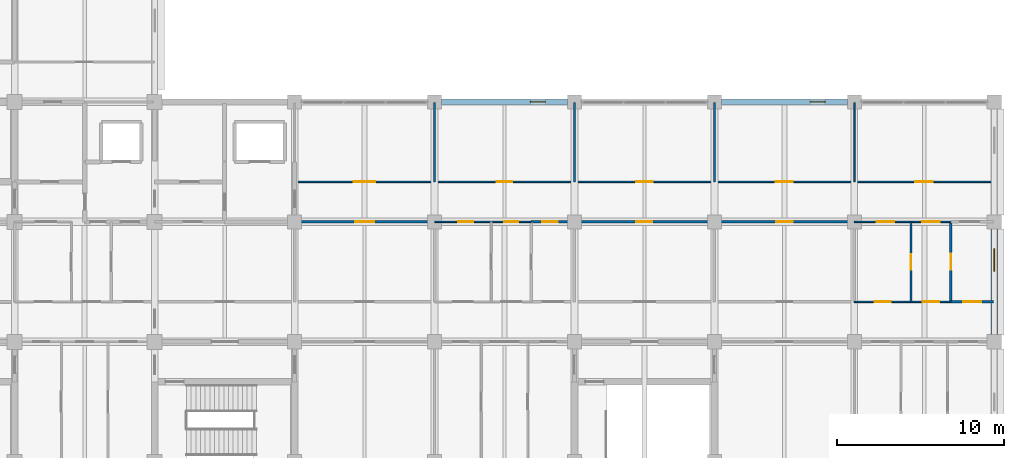
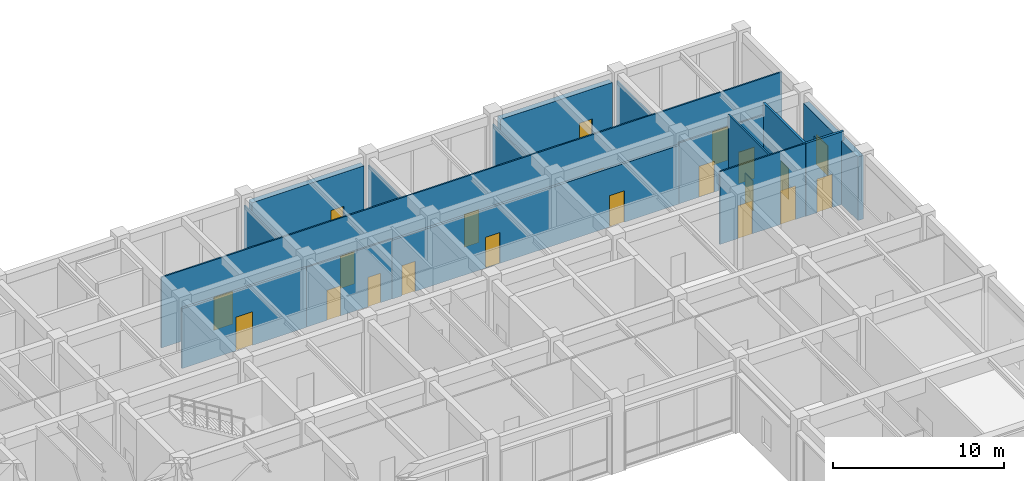
# One storey, part 49 of 58: 18 doors, 16 walls, 3 windows, 21 openings.
"""IFC4 building model written with IfcOpenShell, lengths in metres."""

from ifc_helpers import new_model, si_unit, direction, frame, frame_2d, origin, place, context, subcontext, project, spatial, rectangle, extrude, material, layer, layer_set, type_object, element, fill, save


model = new_model("IFC4")

# Units and contexts
model_context = context("Model", 3, precision=1e-05, world=origin(), true_north=direction((0.0, 1.0)))
body_context = subcontext(model_context, "Body", "Model", "MODEL_VIEW")
ifc_project = project(units=[si_unit("LENGTHUNIT", "METRE"), si_unit("AREAUNIT", "SQUARE_METRE"), si_unit("VOLUMEUNIT", "CUBIC_METRE"), si_unit("PLANEANGLEUNIT", "RADIAN"), si_unit("MASSUNIT", "GRAM", prefix="KILO")], contexts=[model_context])

# Site, building, storey
site_placement = place(None, origin())
site = spatial("IfcSite", under=ifc_project, at=site_placement, CompositionType="ELEMENT")
building_placement = place(site_placement, origin())
building = spatial("IfcBuilding", under=site, at=building_placement, Name="Chengyuan Square Courthouse", CompositionType="ELEMENT")
storey_placement = place(building_placement, frame((0.0, 0.0, 16.199951171875)))
storey = spatial("IfcBuildingStorey", under=building, at=storey_placement, Name="L04", CompositionType="ELEMENT", Elevation=16.199951171875)

# Wall, opening, window
ifc_material_1 = material(Name="Concrete C40", Category="concrete")
ifc_layer_1 = layer(ifc_material_1, 0.3798828125)
ifc_layer_set_1 = layer_set([ifc_layer_1], Name="Concrete C40")
wall_type_1 = type_object("IfcWallType", Name="WL-EW1", PredefinedType="STANDARD", material=ifc_layer_set_1)
wall_1_placement = place(storey_placement, frame((134.820068359375, 108.0, 0.0), z_axis=(0.0, 0.0, 1.0), x_axis=(1.0, 0.0, 0.0)))
wall_1 = element("IfcWall", 1, at=wall_1_placement, inside=storey, type_object=wall_type_1, Name="Exterior Wall WL-L04-E325", PredefinedType="STANDARD", context=body_context, shape_type="SweptSolid", body=[
    extrude(rectangle(XDim=7.559814453125, YDim=0.3798828125, at=frame_2d((3.77978515625, 0.0))), origin(), (0.0, 0.0, 1.0), 4.469970703125),
])
opening_1_placement = place(wall_1_placement, frame((5.330078125, 0.0, 0.85009765625)))
opening_1 = element("IfcOpeningElement", 2, at=opening_1_placement, cuts=wall_1, Name="Opening WN-099", PredefinedType="OPENING", context=body_context, shape_type="SweptSolid", body=[
    extrude(rectangle(XDim=0.89990234375, YDim=1.199951171875, at=frame_2d((0.449951171875, 0.60009765625))), frame((0.0, 0.201904296875, 0.0), z_axis=(0.0, -1.0, 0.0), x_axis=(1.0, 0.0, 0.0)), (0.0, 0.0, 1.0), 0.40380859375),
])
ifc_material_2 = material(Name="Thermally Broken Aluminium Triple Low-E Window", Category="aluminium")
window_type_1 = type_object("IfcWindowType", Name="WT-01", PartitioningType="SINGLE_PANEL", PredefinedType="WINDOW", material=ifc_material_2)
window_1_placement = place(opening_1_placement, origin())
window_1 = element("IfcWindow", 3, at=window_1_placement, inside=storey, type_object=window_type_1, Name="Facade Window WN-099", OverallHeight=1.199951171875, OverallWidth=0.89990234375, PartitioningType="SINGLE_PANEL", PredefinedType="WINDOW", context=body_context, shape_type="SweptSolid", body=[
    extrude(rectangle(XDim=0.89990234375, YDim=1.199951171875, at=frame_2d((0.449951171875, 0.60009765625))), frame((0.0, 0.030029296875, 0.0), z_axis=(0.0, -1.0, 0.0), x_axis=(1.0, 0.0, 0.0)), (0.0, 0.0, 1.0), 0.06005859375),
])
fill(opening_1, window_1)

wall_2_placement = place(storey_placement, frame((151.6201171875, 108.0, 0.0), z_axis=(0.0, 0.0, 1.0), x_axis=(1.0, 0.0, 0.0)))
wall_2 = element("IfcWall", 4, at=wall_2_placement, inside=storey, type_object=wall_type_1, Name="Exterior Wall WL-L04-E331", PredefinedType="STANDARD", context=body_context, shape_type="SweptSolid", body=[
    extrude(rectangle(XDim=7.559814453125, YDim=0.3798828125, at=frame_2d((3.77978515625, 0.0))), origin(), (0.0, 0.0, 1.0), 4.550048828125),
])
opening_2_placement = place(wall_2_placement, frame((5.330078125, 0.0, 0.85009765625)))
opening_2 = element("IfcOpeningElement", 5, at=opening_2_placement, cuts=wall_2, Name="Opening WN-103", PredefinedType="OPENING", context=body_context, shape_type="SweptSolid", body=[
    extrude(rectangle(XDim=0.89990234375, YDim=1.56005859375, at=frame_2d((0.449951171875, 0.780029296875))), frame((0.0, 0.201904296875, 0.0), z_axis=(0.0, -1.0, 0.0), x_axis=(1.0, 0.0, 0.0)), (0.0, 0.0, 1.0), 0.40380859375),
])
window_type_2 = type_object("IfcWindowType", Name="WT-03", PartitioningType="SINGLE_PANEL", PredefinedType="WINDOW", material=ifc_material_2)
window_2_placement = place(opening_2_placement, origin())
window_2 = element("IfcWindow", 6, at=window_2_placement, inside=storey, type_object=window_type_2, Name="Facade Window WN-103", OverallHeight=1.56005859375, OverallWidth=0.89990234375, PartitioningType="SINGLE_PANEL", PredefinedType="WINDOW", context=body_context, shape_type="SweptSolid", body=[
    extrude(rectangle(XDim=0.89990234375, YDim=1.56005859375, at=frame_2d((0.449951171875, 0.780029296875))), frame((0.0, 0.030029296875, 0.0), z_axis=(0.0, -1.0, 0.0), x_axis=(1.0, 0.0, 0.0)), (0.0, 0.0, 1.0), 0.06005859375),
])
fill(opening_2, window_2)

wall_3_placement = place(storey_placement, frame((168.0, 94.02001953125, 0.0), z_axis=(0.0, 0.0, 1.0), x_axis=(0.0, 1.0, 0.0)))
wall_3 = element("IfcWall", 7, at=wall_3_placement, inside=storey, type_object=wall_type_1, Name="Exterior Wall WL-L04-E337", PredefinedType="STANDARD", context=body_context, shape_type="SweptSolid", body=[
    extrude(rectangle(XDim=6.35986328125, YDim=0.3798828125, at=frame_2d((3.179931640625, 0.0))), origin(), (0.0, 0.0, 1.0), 4.550048828125),
])
opening_3_placement = place(wall_3_placement, frame((3.804931640625, 0.0, 0.85009765625)))
opening_3 = element("IfcOpeningElement", 8, at=opening_3_placement, cuts=wall_3, Name="Opening WN-109", PredefinedType="OPENING", context=body_context, shape_type="SweptSolid", body=[
    extrude(rectangle(XDim=1.35009765625, YDim=2.1201171875, at=frame_2d((0.675048828125, 1.06005859375))), frame((0.0, 0.201904296875, 0.0), z_axis=(0.0, -1.0, 0.0), x_axis=(1.0, 0.0, 0.0)), (0.0, 0.0, 1.0), 0.40380859375),
])
window_type_3 = type_object("IfcWindowType", Name="WT-24", PartitioningType="SINGLE_PANEL", PredefinedType="WINDOW", material=ifc_material_2)
window_3_placement = place(opening_3_placement, origin())
window_3 = element("IfcWindow", 9, at=window_3_placement, inside=storey, type_object=window_type_3, Name="Facade Window WN-109", OverallHeight=2.1201171875, OverallWidth=1.35009765625, PartitioningType="SINGLE_PANEL", PredefinedType="WINDOW", context=body_context, shape_type="SweptSolid", body=[
    extrude(rectangle(XDim=1.35009765625, YDim=2.1201171875, at=frame_2d((0.675048828125, 1.06005859375))), frame((0.0, 0.030029296875, 0.0), z_axis=(0.0, -1.0, 0.0), x_axis=(1.0, 0.0, 0.0)), (0.0, 0.0, 1.0), 0.06005859375),
])
fill(opening_3, window_3)

# Wall, opening, door
ifc_material_3 = material(Name="Deliberation Room Sound-Insulated Partition")
ifc_layer_2 = layer(ifc_material_3, 0.14990234375)
ifc_layer_set_2 = layer_set([ifc_layer_2], Name="Deliberation Room Sound-Insulated Partition")
wall_type_2 = type_object("IfcWallType", Name="WL-PT3", PredefinedType="STANDARD", material=ifc_layer_set_2)
wall_4_placement = place(storey_placement, frame((165.39990234375, 96.0, 0.0), z_axis=(0.0, 0.0, 1.0), x_axis=(1.0, 0.0, 0.0)))
wall_4 = element("IfcWall", 10, at=wall_4_placement, inside=storey, type_object=wall_type_2, Name="Interior Wall WL-L04-I1835", PredefinedType="STANDARD", context=body_context, shape_type="SweptSolid", body=[
    extrude(rectangle(XDim=2.56005859375, YDim=0.14990234375, at=frame_2d((1.280029296875, 0.0))), origin(), (0.0, 0.0, 1.0), 5.199951171875),
])
opening_4_placement = place(wall_4_placement, frame((0.75, 0.0, 0.0)))
opening_4 = element("IfcOpeningElement", 11, at=opening_4_placement, cuts=wall_4, Name="Opening DR-1796", PredefinedType="OPENING", context=body_context, shape_type="SweptSolid", body=[
    extrude(rectangle(XDim=1.06005859375, YDim=2.39990234375, at=frame_2d((0.530029296875, 1.199951171875))), frame((0.0, 0.0869140625, 0.0), z_axis=(0.0, -1.0, 0.0), x_axis=(1.0, 0.0, 0.0)), (0.0, 0.0, 1.0), 0.173828125),
])
ifc_material_4 = material(Name="Acoustic Solid-Core Timber Door", Category="wood")
door_type_1 = type_object("IfcDoorType", Name="DT-42", OperationType="NOTDEFINED", PredefinedType="DOOR", material=ifc_material_4)
door_1_placement = place(opening_4_placement, origin())
door_1 = element("IfcDoor", 12, at=door_1_placement, inside=storey, type_object=door_type_1, Name="Interior Door DR-1796", OperationType="SINGLE_SWING_RIGHT", OverallHeight=2.39990234375, OverallWidth=1.06005859375, PredefinedType="DOOR", context=body_context, shape_type="SweptSolid", body=[
    extrude(rectangle(XDim=1.06005859375, YDim=2.39990234375, at=frame_2d((0.530029296875, 1.199951171875))), frame((0.0, 0.02490234375, 0.0), z_axis=(0.0, -1.0, 0.0), x_axis=(1.0, 0.0, 0.0)), (0.0, 0.0, 1.0), 0.050048828125),
])
fill(opening_4, door_1)

wall_5_placement = place(storey_placement, frame((126.0, 100.800048828125, 0.0), z_axis=(0.0, 0.0, 1.0), x_axis=(1.0, 0.0, 0.0)))
wall_5 = element("IfcWall", 13, at=wall_5_placement, inside=storey, type_object=wall_type_2, Name="Interior Wall WL-L04-I1854", PredefinedType="STANDARD", context=body_context, shape_type="SweptSolid", body=[
    extrude(rectangle(XDim=8.39990234375, YDim=0.14990234375, at=frame_2d((4.199951171875, 0.0))), origin(), (0.0, 0.0, 1.0), 4.27001953125),
])
opening_5_placement = place(wall_5_placement, frame((3.6298828125, 0.0, 0.0)))
opening_5 = element("IfcOpeningElement", 14, at=opening_5_placement, cuts=wall_5, Name="Opening DR-1729", PredefinedType="OPENING", context=body_context, shape_type="SweptSolid", body=[
    extrude(rectangle(XDim=1.139892578125, YDim=2.39990234375, at=frame_2d((0.56982421875, 1.199951171875))), frame((0.0, 0.0869140625, 0.0), z_axis=(0.0, -1.0, 0.0), x_axis=(1.0, 0.0, 0.0)), (0.0, 0.0, 1.0), 0.173828125),
])
door_type_2 = type_object("IfcDoorType", Name="DT-43", OperationType="NOTDEFINED", PredefinedType="DOOR", material=ifc_material_4)
door_2_placement = place(opening_5_placement, origin())
door_2 = element("IfcDoor", 15, at=door_2_placement, inside=storey, type_object=door_type_2, Name="Interior Door DR-1729", OperationType="SINGLE_SWING_RIGHT", OverallHeight=2.39990234375, OverallWidth=1.139892578125, PredefinedType="DOOR", context=body_context, shape_type="SweptSolid", body=[
    extrude(rectangle(XDim=1.139892578125, YDim=2.39990234375, at=frame_2d((0.56982421875, 1.199951171875))), frame((0.0, 0.02490234375, 0.0), z_axis=(0.0, -1.0, 0.0), x_axis=(1.0, 0.0, 0.0)), (0.0, 0.0, 1.0), 0.050048828125),
])
fill(opening_5, door_2)

# Wall, openings, doors
wall_6_placement = place(storey_placement, frame((140.199951171875, 100.800048828125, 0.0), z_axis=(0.0, 0.0, 1.0), x_axis=(1.0, 0.0, 0.0)))
wall_6 = element("IfcWall", 16, at=wall_6_placement, inside=storey, type_object=wall_type_2, Name="Interior Wall WL-L04-I1856", PredefinedType="STANDARD", context=body_context, shape_type="SweptSolid", body=[
    extrude(rectangle(XDim=19.400146484375, YDim=0.14990234375, at=frame_2d((9.7001953125, 0.0))), origin(), (0.0, 0.0, 1.0), 4.199951171875),
])
opening_6_placement = place(wall_6_placement, frame((0.66748046875, 0.0, 0.0)))
opening_6 = element("IfcOpeningElement", 17, at=opening_6_placement, cuts=wall_6, Name="Opening DR-1732", PredefinedType="OPENING", context=body_context, shape_type="SweptSolid", body=[
    extrude(rectangle(XDim=0.919921875, YDim=2.14990234375, at=frame_2d((0.4599609375, 1.074951171875))), frame((0.0, 0.0869140625, 0.0), z_axis=(0.0, -1.0, 0.0), x_axis=(1.0, 0.0, 0.0)), (0.0, 0.0, 1.0), 0.173828125),
])
opening_7_placement = place(wall_6_placement, frame((6.320068359375, 0.0, 0.0)))
opening_7 = element("IfcOpeningElement", 18, at=opening_7_placement, cuts=wall_6, Name="Opening DR-1733", PredefinedType="OPENING", context=body_context, shape_type="SweptSolid", body=[
    extrude(rectangle(XDim=0.9599609375, YDim=2.199951171875, at=frame_2d((0.47998046875, 1.10009765625))), frame((0.0, 0.0869140625, 0.0), z_axis=(0.0, -1.0, 0.0), x_axis=(1.0, 0.0, 0.0)), (0.0, 0.0, 1.0), 0.173828125),
])
opening_8_placement = place(wall_6_placement, frame((14.699951171875, 0.0, 0.0)))
opening_8 = element("IfcOpeningElement", 19, at=opening_8_placement, cuts=wall_6, Name="Opening DR-1734", PredefinedType="OPENING", context=body_context, shape_type="SweptSolid", body=[
    extrude(rectangle(XDim=1.0, YDim=2.25, at=frame_2d((0.5, 1.125))), frame((0.0, 0.0869140625, 0.0), z_axis=(0.0, -1.0, 0.0), x_axis=(1.0, 0.0, 0.0)), (0.0, 0.0, 1.0), 0.173828125),
])
door_type_3 = type_object("IfcDoorType", Name="DT-29", OperationType="NOTDEFINED", PredefinedType="DOOR", material=ifc_material_4)
door_3_placement = place(opening_6_placement, origin())
door_3 = element("IfcDoor", 20, at=door_3_placement, inside=storey, type_object=door_type_3, Name="Interior Door DR-1732", OperationType="SINGLE_SWING_LEFT", OverallHeight=2.14990234375, OverallWidth=0.919921875, PredefinedType="DOOR", context=body_context, shape_type="SweptSolid", body=[
    extrude(rectangle(XDim=0.919921875, YDim=2.14990234375, at=frame_2d((0.4599609375, 1.074951171875))), frame((0.0, 0.02490234375, 0.0), z_axis=(0.0, -1.0, 0.0), x_axis=(1.0, 0.0, 0.0)), (0.0, 0.0, 1.0), 0.050048828125),
])
fill(opening_6, door_3)
door_type_4 = type_object("IfcDoorType", Name="DT-30", OperationType="NOTDEFINED", PredefinedType="DOOR", material=ifc_material_4)
door_4_placement = place(opening_7_placement, origin())
door_4 = element("IfcDoor", 21, at=door_4_placement, inside=storey, type_object=door_type_4, Name="Interior Door DR-1733", OperationType="SINGLE_SWING_RIGHT", OverallHeight=2.199951171875, OverallWidth=0.9599609375, PredefinedType="DOOR", context=body_context, shape_type="SweptSolid", body=[
    extrude(rectangle(XDim=0.9599609375, YDim=2.199951171875, at=frame_2d((0.47998046875, 1.10009765625))), frame((0.0, 0.02490234375, 0.0), z_axis=(0.0, -1.0, 0.0), x_axis=(1.0, 0.0, 0.0)), (0.0, 0.0, 1.0), 0.050048828125),
])
fill(opening_7, door_4)
door_type_5 = type_object("IfcDoorType", Name="DT-31", OperationType="NOTDEFINED", PredefinedType="DOOR", material=ifc_material_4)
door_5_placement = place(opening_8_placement, origin())
door_5 = element("IfcDoor", 22, at=door_5_placement, inside=storey, type_object=door_type_5, Name="Interior Door DR-1734", OperationType="SINGLE_SWING_LEFT", OverallHeight=2.25, OverallWidth=1.0, PredefinedType="DOOR", context=body_context, shape_type="SweptSolid", body=[
    extrude(rectangle(XDim=1.0, YDim=2.25, at=frame_2d((0.5, 1.125))), frame((0.0, 0.02490234375, 0.0), z_axis=(0.0, -1.0, 0.0), x_axis=(1.0, 0.0, 0.0)), (0.0, 0.0, 1.0), 0.050048828125),
])
fill(opening_8, door_5)

# Wall, opening, door
wall_7_placement = place(storey_placement, frame((165.39990234375, 96.0, 0.0), z_axis=(0.0, 0.0, 1.0), x_axis=(0.0, 1.0, 0.0)))
wall_7 = element("IfcWall", 23, at=wall_7_placement, inside=storey, type_object=wall_type_2, Name="Interior Wall WL-L04-I2100", PredefinedType="STANDARD", context=body_context, shape_type="SweptSolid", body=[
    extrude(rectangle(XDim=4.800048828125, YDim=0.14990234375, at=frame_2d((2.39990234375, 0.0))), origin(), (0.0, 0.0, 1.0), 5.199951171875),
])
opening_9_placement = place(wall_7_placement, frame((1.919921875, 0.0, 0.0)))
opening_9 = element("IfcOpeningElement", 24, at=opening_9_placement, cuts=wall_7, Name="Opening DR-1818", PredefinedType="OPENING", context=body_context, shape_type="SweptSolid", body=[
    extrude(rectangle(XDim=0.9599609375, YDim=2.199951171875, at=frame_2d((0.47998046875, 1.10009765625))), frame((0.0, 0.0869140625, 0.0), z_axis=(0.0, -1.0, 0.0), x_axis=(1.0, 0.0, 0.0)), (0.0, 0.0, 1.0), 0.173828125),
])
door_6_placement = place(opening_9_placement, origin())
door_6 = element("IfcDoor", 25, at=door_6_placement, inside=storey, type_object=door_type_4, Name="Interior Door DR-1818", OperationType="SINGLE_SWING_LEFT", OverallHeight=2.199951171875, OverallWidth=0.9599609375, PredefinedType="DOOR", context=body_context, shape_type="SweptSolid", body=[
    extrude(rectangle(XDim=0.9599609375, YDim=2.199951171875, at=frame_2d((0.47998046875, 1.10009765625))), frame((0.0, 0.02490234375, 0.0), z_axis=(0.0, -1.0, 0.0), x_axis=(1.0, 0.0, 0.0)), (0.0, 0.0, 1.0), 0.050048828125),
])
fill(opening_9, door_6)

# Wall, openings, doors
ifc_material_5 = material(Name="Gypsum Plasterboard Acoustic Stud Partition")
ifc_layer_3 = layer(ifc_material_5, 0.10009765625)
ifc_layer_set_3 = layer_set([ifc_layer_3], Name="Gypsum Plasterboard Acoustic Stud Partition")
wall_type_3 = type_object("IfcWallType", Name="WL-PT6", PredefinedType="STANDARD", material=ifc_layer_set_3)
wall_8_placement = place(storey_placement, frame((159.60009765625, 96.0, 0.0), z_axis=(0.0, 0.0, 1.0), x_axis=(1.0, 0.0, 0.0)))
wall_8 = element("IfcWall", 26, at=wall_8_placement, inside=storey, type_object=wall_type_3, Name="Interior Wall WL-L04-I1834", PredefinedType="STANDARD", context=body_context, shape_type="SweptSolid", body=[
    extrude(rectangle(XDim=5.7998046875, YDim=0.10009765625, at=frame_2d((2.89990234375, 0.0))), origin(), (0.0, 0.0, 1.0), 5.199951171875),
])
opening_10_placement = place(wall_8_placement, frame((1.2099609375, 0.0, 0.0)))
opening_10 = element("IfcOpeningElement", 27, at=opening_10_placement, cuts=wall_8, Name="Opening DR-1794", PredefinedType="OPENING", context=body_context, shape_type="SweptSolid", body=[
    extrude(rectangle(XDim=0.97998046875, YDim=2.35009765625, at=frame_2d((0.489990234375, 1.175048828125))), frame((0.0, 0.06201171875, 0.0), z_axis=(0.0, -1.0, 0.0), x_axis=(1.0, 0.0, 0.0)), (0.0, 0.0, 1.0), 0.1240234375),
])
opening_11_placement = place(wall_8_placement, frame((4.090087890625, 0.0, 0.0)))
opening_11 = element("IfcOpeningElement", 28, at=opening_11_placement, cuts=wall_8, Name="Opening DR-1795", PredefinedType="OPENING", context=body_context, shape_type="SweptSolid", body=[
    extrude(rectangle(XDim=1.02001953125, YDim=2.39990234375, at=frame_2d((0.510009765625, 1.199951171875))), frame((0.0, 0.06201171875, 0.0), z_axis=(0.0, -1.0, 0.0), x_axis=(1.0, 0.0, 0.0)), (0.0, 0.0, 1.0), 0.1240234375),
])
door_type_6 = type_object("IfcDoorType", Name="DT-40", OperationType="NOTDEFINED", PredefinedType="DOOR", material=ifc_material_4)
door_7_placement = place(opening_10_placement, origin())
door_7 = element("IfcDoor", 29, at=door_7_placement, inside=storey, type_object=door_type_6, Name="Interior Door DR-1794", OperationType="SINGLE_SWING_RIGHT", OverallHeight=2.35009765625, OverallWidth=0.97998046875, PredefinedType="DOOR", context=body_context, shape_type="SweptSolid", body=[
    extrude(rectangle(XDim=0.97998046875, YDim=2.35009765625, at=frame_2d((0.489990234375, 1.175048828125))), frame((0.0, 0.02490234375, 0.0), z_axis=(0.0, -1.0, 0.0), x_axis=(1.0, 0.0, 0.0)), (0.0, 0.0, 1.0), 0.050048828125),
])
fill(opening_10, door_7)
door_type_7 = type_object("IfcDoorType", Name="DT-41", OperationType="NOTDEFINED", PredefinedType="DOOR", material=ifc_material_4)
door_8_placement = place(opening_11_placement, origin())
door_8 = element("IfcDoor", 30, at=door_8_placement, inside=storey, type_object=door_type_7, Name="Interior Door DR-1795", OperationType="SINGLE_SWING_LEFT", OverallHeight=2.39990234375, OverallWidth=1.02001953125, PredefinedType="DOOR", context=body_context, shape_type="SweptSolid", body=[
    extrude(rectangle(XDim=1.02001953125, YDim=2.39990234375, at=frame_2d((0.510009765625, 1.199951171875))), frame((0.0, 0.02490234375, 0.0), z_axis=(0.0, -1.0, 0.0), x_axis=(1.0, 0.0, 0.0)), (0.0, 0.0, 1.0), 0.050048828125),
])
fill(opening_11, door_8)

wall_9_placement = place(storey_placement, frame((134.39990234375, 100.800048828125, 0.0), z_axis=(0.0, 0.0, 1.0), x_axis=(1.0, 0.0, 0.0)))
wall_9 = element("IfcWall", 31, at=wall_9_placement, inside=storey, type_object=wall_type_3, Name="Interior Wall WL-L04-I1855", PredefinedType="STANDARD", context=body_context, shape_type="SweptSolid", body=[
    extrude(rectangle(XDim=5.800048828125, YDim=0.10009765625, at=frame_2d((2.89990234375, 0.0))), origin(), (0.0, 0.0, 1.0), 4.27001953125),
])
opening_12_placement = place(wall_9_placement, frame((1.422607421875, 0.0, 0.0)))
opening_12 = element("IfcOpeningElement", 32, at=opening_12_placement, cuts=wall_9, Name="Opening DR-1730", PredefinedType="OPENING", context=body_context, shape_type="SweptSolid", body=[
    extrude(rectangle(XDim=0.89990234375, YDim=2.14990234375, at=frame_2d((0.449951171875, 1.074951171875))), frame((0.0, 0.06201171875, 0.0), z_axis=(0.0, -1.0, 0.0), x_axis=(1.0, 0.0, 0.0)), (0.0, 0.0, 1.0), 0.1240234375),
])
opening_13_placement = place(wall_9_placement, frame((4.169921875, 0.0, 0.0)))
opening_13 = element("IfcOpeningElement", 33, at=opening_13_placement, cuts=wall_9, Name="Opening DR-1731", PredefinedType="OPENING", context=body_context, shape_type="SweptSolid", body=[
    extrude(rectangle(XDim=0.860107421875, YDim=2.10009765625, at=frame_2d((0.43017578125, 1.050048828125))), frame((0.0, 0.06201171875, 0.0), z_axis=(0.0, -1.0, 0.0), x_axis=(1.0, 0.0, 0.0)), (0.0, 0.0, 1.0), 0.1240234375),
])
door_type_8 = type_object("IfcDoorType", Name="DT-27", OperationType="NOTDEFINED", PredefinedType="DOOR", material=ifc_material_4)
door_9_placement = place(opening_12_placement, origin())
door_9 = element("IfcDoor", 34, at=door_9_placement, inside=storey, type_object=door_type_8, Name="Interior Door DR-1730", OperationType="SINGLE_SWING_LEFT", OverallHeight=2.14990234375, OverallWidth=0.89990234375, PredefinedType="DOOR", context=body_context, shape_type="SweptSolid", body=[
    extrude(rectangle(XDim=0.89990234375, YDim=2.14990234375, at=frame_2d((0.449951171875, 1.074951171875))), frame((0.0, 0.02490234375, 0.0), z_axis=(0.0, -1.0, 0.0), x_axis=(1.0, 0.0, 0.0)), (0.0, 0.0, 1.0), 0.050048828125),
])
fill(opening_12, door_9)
door_type_9 = type_object("IfcDoorType", Name="DT-28", OperationType="NOTDEFINED", PredefinedType="DOOR", material=ifc_material_4)
door_10_placement = place(opening_13_placement, origin())
door_10 = element("IfcDoor", 35, at=door_10_placement, inside=storey, type_object=door_type_9, Name="Interior Door DR-1731", OperationType="SINGLE_SWING_RIGHT", OverallHeight=2.10009765625, OverallWidth=0.860107421875, PredefinedType="DOOR", context=body_context, shape_type="SweptSolid", body=[
    extrude(rectangle(XDim=0.860107421875, YDim=2.10009765625, at=frame_2d((0.43017578125, 1.050048828125))), frame((0.0, 0.02490234375, 0.0), z_axis=(0.0, -1.0, 0.0), x_axis=(1.0, 0.0, 0.0)), (0.0, 0.0, 1.0), 0.050048828125),
])
fill(opening_13, door_10)

wall_10_placement = place(storey_placement, frame((159.60009765625, 100.800048828125, 0.0), z_axis=(0.0, 0.0, 1.0), x_axis=(1.0, 0.0, 0.0)))
wall_10 = element("IfcWall", 36, at=wall_10_placement, inside=storey, type_object=wall_type_3, Name="Interior Wall WL-L04-I1857", PredefinedType="STANDARD", context=body_context, shape_type="SweptSolid", body=[
    extrude(rectangle(XDim=5.7998046875, YDim=0.10009765625, at=frame_2d((2.89990234375, 0.0))), origin(), (0.0, 0.0, 1.0), 4.35009765625),
])
opening_14_placement = place(wall_10_placement, frame((1.3525390625, 0.0, 0.0)))
opening_14 = element("IfcOpeningElement", 37, at=opening_14_placement, cuts=wall_10, Name="Opening DR-1735", PredefinedType="OPENING", context=body_context, shape_type="SweptSolid", body=[
    extrude(rectangle(XDim=1.0400390625, YDim=2.199951171875, at=frame_2d((0.52001953125, 1.10009765625))), frame((0.0, 0.06201171875, 0.0), z_axis=(0.0, -1.0, 0.0), x_axis=(1.0, 0.0, 0.0)), (0.0, 0.0, 1.0), 0.1240234375),
])
opening_15_placement = place(wall_10_placement, frame((4.06005859375, 0.0, 0.0)))
opening_15 = element("IfcOpeningElement", 38, at=opening_15_placement, cuts=wall_10, Name="Opening DR-1736", PredefinedType="OPENING", context=body_context, shape_type="SweptSolid", body=[
    extrude(rectangle(XDim=1.080078125, YDim=2.25, at=frame_2d((0.5400390625, 1.125))), frame((0.0, 0.06201171875, 0.0), z_axis=(0.0, -1.0, 0.0), x_axis=(1.0, 0.0, 0.0)), (0.0, 0.0, 1.0), 0.1240234375),
])
door_type_10 = type_object("IfcDoorType", Name="DT-32", OperationType="NOTDEFINED", PredefinedType="DOOR", material=ifc_material_4)
door_11_placement = place(opening_14_placement, origin())
door_11 = element("IfcDoor", 39, at=door_11_placement, inside=storey, type_object=door_type_10, Name="Interior Door DR-1735", OperationType="SINGLE_SWING_RIGHT", OverallHeight=2.199951171875, OverallWidth=1.0400390625, PredefinedType="DOOR", context=body_context, shape_type="SweptSolid", body=[
    extrude(rectangle(XDim=1.0400390625, YDim=2.199951171875, at=frame_2d((0.52001953125, 1.10009765625))), frame((0.0, 0.02490234375, 0.0), z_axis=(0.0, -1.0, 0.0), x_axis=(1.0, 0.0, 0.0)), (0.0, 0.0, 1.0), 0.050048828125),
])
fill(opening_14, door_11)
door_type_11 = type_object("IfcDoorType", Name="DT-33", OperationType="NOTDEFINED", PredefinedType="DOOR", material=ifc_material_4)
door_12_placement = place(opening_15_placement, origin())
door_12 = element("IfcDoor", 40, at=door_12_placement, inside=storey, type_object=door_type_11, Name="Interior Door DR-1736", OperationType="SINGLE_SWING_LEFT", OverallHeight=2.25, OverallWidth=1.080078125, PredefinedType="DOOR", context=body_context, shape_type="SweptSolid", body=[
    extrude(rectangle(XDim=1.080078125, YDim=2.25, at=frame_2d((0.5400390625, 1.125))), frame((0.0, 0.02490234375, 0.0), z_axis=(0.0, -1.0, 0.0), x_axis=(1.0, 0.0, 0.0)), (0.0, 0.0, 1.0), 0.050048828125),
])
fill(opening_15, door_12)

wall_11_placement = place(storey_placement, frame((126.0, 103.199951171875, 0.0), z_axis=(0.0, 0.0, 1.0), x_axis=(1.0, 0.0, 0.0)))
wall_11 = element("IfcWall", 41, at=wall_11_placement, inside=storey, type_object=wall_type_3, Name="Interior Wall WL-L04-I1868", PredefinedType="STANDARD", context=body_context, shape_type="SweptSolid", body=[
    extrude(rectangle(XDim=41.9599609375, YDim=0.10009765625, at=frame_2d((20.97998046875, 0.0))), origin(), (0.0, 0.0, 1.0), 5.050048828125),
])
opening_16_placement = place(wall_11_placement, frame((3.56005859375, 0.0, 0.0)))
opening_16 = element("IfcOpeningElement", 42, at=opening_16_placement, cuts=wall_11, Name="Opening DR-1724", PredefinedType="OPENING", context=body_context, shape_type="SweptSolid", body=[
    extrude(rectangle(XDim=1.280029296875, YDim=2.35009765625, at=frame_2d((0.64013671875, 1.175048828125))), frame((0.0, 0.06201171875, 0.0), z_axis=(0.0, -1.0, 0.0), x_axis=(1.0, 0.0, 0.0)), (0.0, 0.0, 1.0), 0.1240234375),
])
opening_17_placement = place(wall_11_placement, frame((12.1298828125, 0.0, 0.0)))
opening_17 = element("IfcOpeningElement", 43, at=opening_17_placement, cuts=wall_11, Name="Opening DR-1725", PredefinedType="OPENING", context=body_context, shape_type="SweptSolid", body=[
    extrude(rectangle(XDim=0.93994140625, YDim=2.300048828125, at=frame_2d((0.469970703125, 1.14990234375))), frame((0.0, 0.06201171875, 0.0), z_axis=(0.0, -1.0, 0.0), x_axis=(1.0, 0.0, 0.0)), (0.0, 0.0, 1.0), 0.1240234375),
])
opening_18_placement = place(wall_11_placement, frame((20.510009765625, 0.0, 0.0)))
opening_18 = element("IfcOpeningElement", 44, at=opening_18_placement, cuts=wall_11, Name="Opening DR-1726", PredefinedType="OPENING", context=body_context, shape_type="SweptSolid", body=[
    extrude(rectangle(XDim=0.97998046875, YDim=2.35009765625, at=frame_2d((0.489990234375, 1.175048828125))), frame((0.0, 0.06201171875, 0.0), z_axis=(0.0, -1.0, 0.0), x_axis=(1.0, 0.0, 0.0)), (0.0, 0.0, 1.0), 0.1240234375),
])
opening_19_placement = place(wall_11_placement, frame((28.889892578125, 0.0, 0.0)))
opening_19 = element("IfcOpeningElement", 45, at=opening_19_placement, cuts=wall_11, Name="Opening DR-1727", PredefinedType="OPENING", context=body_context, shape_type="SweptSolid", body=[
    extrude(rectangle(XDim=1.02001953125, YDim=2.39990234375, at=frame_2d((0.510009765625, 1.199951171875))), frame((0.0, 0.06201171875, 0.0), z_axis=(0.0, -1.0, 0.0), x_axis=(1.0, 0.0, 0.0)), (0.0, 0.0, 1.0), 0.1240234375),
])
opening_20_placement = place(wall_11_placement, frame((37.25, 0.0, 0.0)))
opening_20 = element("IfcOpeningElement", 46, at=opening_20_placement, cuts=wall_11, Name="Opening DR-1728", PredefinedType="OPENING", context=body_context, shape_type="SweptSolid", body=[
    extrude(rectangle(XDim=1.06005859375, YDim=2.39990234375, at=frame_2d((0.530029296875, 1.199951171875))), frame((0.0, 0.06201171875, 0.0), z_axis=(0.0, -1.0, 0.0), x_axis=(1.0, 0.0, 0.0)), (0.0, 0.0, 1.0), 0.1240234375),
])
door_type_12 = type_object("IfcDoorType", Name="DT-38", OperationType="NOTDEFINED", PredefinedType="DOOR", material=ifc_material_4)
door_13_placement = place(opening_16_placement, origin())
door_13 = element("IfcDoor", 47, at=door_13_placement, inside=storey, type_object=door_type_12, Name="Interior Door DR-1724", OperationType="SINGLE_SWING_LEFT", OverallHeight=2.35009765625, OverallWidth=1.280029296875, PredefinedType="DOOR", context=body_context, shape_type="SweptSolid", body=[
    extrude(rectangle(XDim=1.280029296875, YDim=2.35009765625, at=frame_2d((0.64013671875, 1.175048828125))), frame((0.0, 0.02490234375, 0.0), z_axis=(0.0, -1.0, 0.0), x_axis=(1.0, 0.0, 0.0)), (0.0, 0.0, 1.0), 0.050048828125),
])
fill(opening_16, door_13)
door_type_13 = type_object("IfcDoorType", Name="DT-39", OperationType="NOTDEFINED", PredefinedType="DOOR", material=ifc_material_4)
door_14_placement = place(opening_17_placement, origin())
door_14 = element("IfcDoor", 48, at=door_14_placement, inside=storey, type_object=door_type_13, Name="Interior Door DR-1725", OperationType="SINGLE_SWING_RIGHT", OverallHeight=2.300048828125, OverallWidth=0.93994140625, PredefinedType="DOOR", context=body_context, shape_type="SweptSolid", body=[
    extrude(rectangle(XDim=0.93994140625, YDim=2.300048828125, at=frame_2d((0.469970703125, 1.14990234375))), frame((0.0, 0.02490234375, 0.0), z_axis=(0.0, -1.0, 0.0), x_axis=(1.0, 0.0, 0.0)), (0.0, 0.0, 1.0), 0.050048828125),
])
fill(opening_17, door_14)
door_15_placement = place(opening_18_placement, origin())
door_15 = element("IfcDoor", 49, at=door_15_placement, inside=storey, type_object=door_type_6, Name="Interior Door DR-1726", OperationType="SINGLE_SWING_LEFT", OverallHeight=2.35009765625, OverallWidth=0.97998046875, PredefinedType="DOOR", context=body_context, shape_type="SweptSolid", body=[
    extrude(rectangle(XDim=0.97998046875, YDim=2.35009765625, at=frame_2d((0.489990234375, 1.175048828125))), frame((0.0, 0.02490234375, 0.0), z_axis=(0.0, -1.0, 0.0), x_axis=(1.0, 0.0, 0.0)), (0.0, 0.0, 1.0), 0.050048828125),
])
fill(opening_18, door_15)
door_16_placement = place(opening_19_placement, origin())
door_16 = element("IfcDoor", 50, at=door_16_placement, inside=storey, type_object=door_type_7, Name="Interior Door DR-1727", OperationType="SINGLE_SWING_RIGHT", OverallHeight=2.39990234375, OverallWidth=1.02001953125, PredefinedType="DOOR", context=body_context, shape_type="SweptSolid", body=[
    extrude(rectangle(XDim=1.02001953125, YDim=2.39990234375, at=frame_2d((0.510009765625, 1.199951171875))), frame((0.0, 0.02490234375, 0.0), z_axis=(0.0, -1.0, 0.0), x_axis=(1.0, 0.0, 0.0)), (0.0, 0.0, 1.0), 0.050048828125),
])
fill(opening_19, door_16)
door_17_placement = place(opening_20_placement, origin())
door_17 = element("IfcDoor", 51, at=door_17_placement, inside=storey, type_object=door_type_1, Name="Interior Door DR-1728", OperationType="SINGLE_SWING_LEFT", OverallHeight=2.39990234375, OverallWidth=1.06005859375, PredefinedType="DOOR", context=body_context, shape_type="SweptSolid", body=[
    extrude(rectangle(XDim=1.06005859375, YDim=2.39990234375, at=frame_2d((0.530029296875, 1.199951171875))), frame((0.0, 0.02490234375, 0.0), z_axis=(0.0, -1.0, 0.0), x_axis=(1.0, 0.0, 0.0)), (0.0, 0.0, 1.0), 0.050048828125),
])
fill(opening_20, door_17)

# Walls
wall_12_placement = place(storey_placement, frame((134.39990234375, 103.199951171875, 0.0), z_axis=(0.0, 0.0, 1.0), x_axis=(0.0, 1.0, 0.0)))
element("IfcWall", 52, at=wall_12_placement, inside=storey, type_object=wall_type_3, Name="Interior Wall WL-L04-I2070", PredefinedType="STANDARD", context=body_context, shape_type="SweptSolid", body=[
    extrude(rectangle(XDim=4.760009765625, YDim=0.10009765625, at=frame_2d((2.3798828125, 0.0))), origin(), (0.0, 0.0, 1.0), 4.3701171875),
])
for number, where, z_axis, x_axis, name in (
    (53, (142.800048828125, 103.199951171875, 0.0), (0.0, 0.0, 1.0), (0.0, 1.0, 0.0), "Interior Wall WL-L04-I2079"),
    (54, (151.199951171875, 103.199951171875, 0.0), (0.0, 0.0, 1.0), (0.0, 1.0, 0.0), "Interior Wall WL-L04-I2084"),
):
    element("IfcWall", number, at=place(storey_placement, frame(where, z_axis=z_axis, x_axis=x_axis)), inside=storey, type_object=wall_type_3, Name=name, PredefinedType="STANDARD", context=body_context, shape_type="SweptSolid", body=[
        extrude(rectangle(XDim=4.760009765625, YDim=0.10009765625, at=frame_2d((2.3798828125, 0.0))), origin(), (0.0, 0.0, 1.0), 4.300048828125),
    ])
wall_13_placement = place(storey_placement, frame((159.60009765625, 103.199951171875, 0.0), z_axis=(0.0, 0.0, 1.0), x_axis=(0.0, 1.0, 0.0)))
element("IfcWall", 55, at=wall_13_placement, inside=storey, type_object=wall_type_3, Name="Interior Wall WL-L04-I2096", PredefinedType="STANDARD", context=body_context, shape_type="SweptSolid", body=[
    extrude(rectangle(XDim=4.760009765625, YDim=0.10009765625, at=frame_2d((2.3798828125, 0.0))), origin(), (0.0, 0.0, 1.0), 4.449951171875),
])

# Wall, opening, door
wall_14_placement = place(storey_placement, frame((163.0, 96.0, 0.0), z_axis=(0.0, 0.0, 1.0), x_axis=(0.0, 1.0, 0.0)))
wall_14 = element("IfcWall", 56, at=wall_14_placement, inside=storey, type_object=wall_type_3, Name="Interior Wall WL-L04-I2098", PredefinedType="STANDARD", context=body_context, shape_type="SweptSolid", body=[
    extrude(rectangle(XDim=4.800048828125, YDim=0.10009765625, at=frame_2d((2.39990234375, 0.0))), origin(), (0.0, 0.0, 1.0), 5.199951171875),
])
opening_21_placement = place(wall_14_placement, frame((1.93994140625, 0.0, 0.0)))
opening_21 = element("IfcOpeningElement", 57, at=opening_21_placement, cuts=wall_14, Name="Opening DR-1817", PredefinedType="OPENING", context=body_context, shape_type="SweptSolid", body=[
    extrude(rectangle(XDim=0.919921875, YDim=2.14990234375, at=frame_2d((0.4599609375, 1.074951171875))), frame((0.0, 0.06201171875, 0.0), z_axis=(0.0, -1.0, 0.0), x_axis=(1.0, 0.0, 0.0)), (0.0, 0.0, 1.0), 0.1240234375),
])
door_18_placement = place(opening_21_placement, origin())
door_18 = element("IfcDoor", 58, at=door_18_placement, inside=storey, type_object=door_type_3, Name="Interior Door DR-1817", OperationType="SINGLE_SWING_RIGHT", OverallHeight=2.14990234375, OverallWidth=0.919921875, PredefinedType="DOOR", context=body_context, shape_type="SweptSolid", body=[
    extrude(rectangle(XDim=0.919921875, YDim=2.14990234375, at=frame_2d((0.4599609375, 1.074951171875))), frame((0.0, 0.02490234375, 0.0), z_axis=(0.0, -1.0, 0.0), x_axis=(1.0, 0.0, 0.0)), (0.0, 0.0, 1.0), 0.050048828125),
])
fill(opening_21, door_18)

save(model, "model.ifc")
